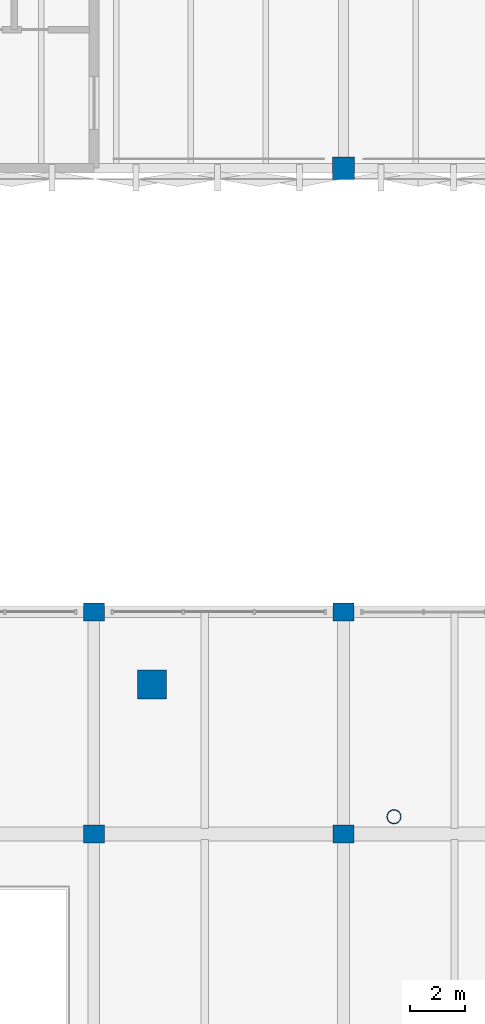
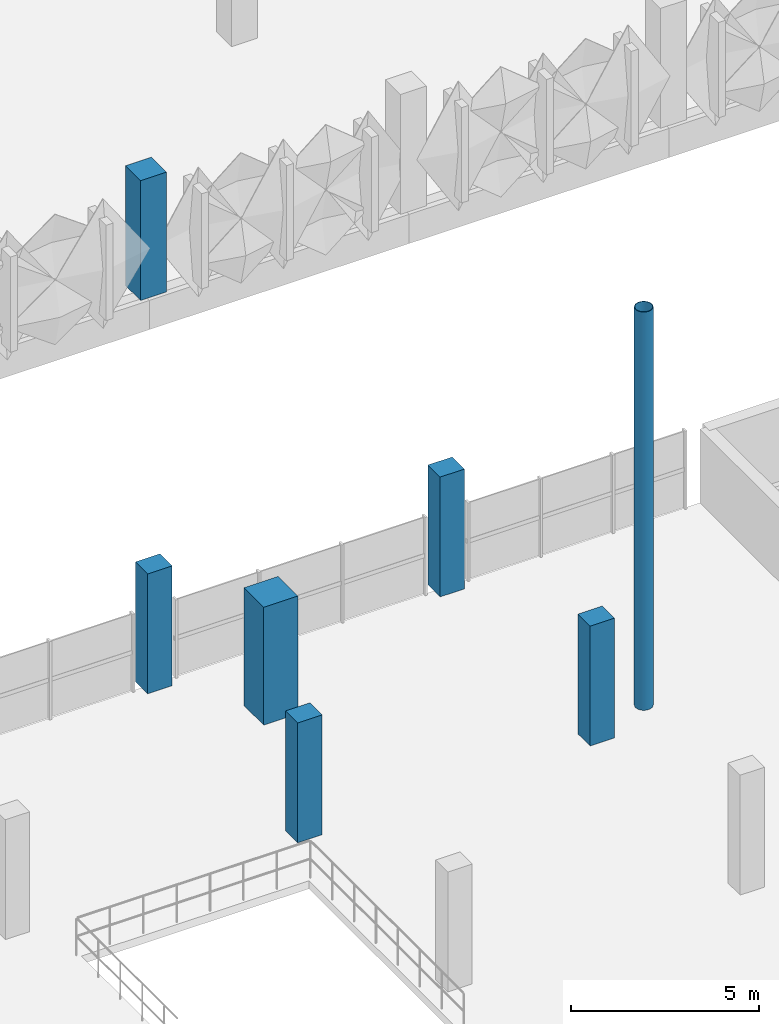
# One storey, part 11 of 123: 7 columns.
"""IFC4 building model written with IfcOpenShell, lengths in metres."""

from ifc_helpers import new_model, si_unit, derived_unit, direction, frame, origin, origin_2d, place, context, subcontext, project, spatial, rectangle, hollow_circle, extrude, material, material_profile, profile_set, type_object, element, save


model = new_model("IFC4")

# Units and contexts
model_context = context("Model", 3, precision=1e-05, world=origin(), true_north=direction((0.0, 1.0)))
body_context = subcontext(model_context, "Body", "Model", "MODEL_VIEW")
ifc_project = project(units=[si_unit("LENGTHUNIT", "METRE"), si_unit("AREAUNIT", "SQUARE_METRE"), si_unit("VOLUMEUNIT", "CUBIC_METRE"), si_unit("PLANEANGLEUNIT", "RADIAN"), si_unit("MASSUNIT", "GRAM", prefix="KILO"), si_unit("THERMODYNAMICTEMPERATUREUNIT", "KELVIN"), derived_unit("THERMALTRANSMITTANCEUNIT", [(si_unit("POWERUNIT", "WATT"), 1), (si_unit("AREAUNIT", "SQUARE_METRE"), -1), (si_unit("THERMODYNAMICTEMPERATUREUNIT", "KELVIN"), -1)])], contexts=[model_context])

# Site, building, storey
site_placement = place(None, origin())
site = spatial("IfcSite", under=ifc_project, at=site_placement, CompositionType="ELEMENT")
building_placement = place(site_placement, origin())
building = spatial("IfcBuilding", under=site, at=building_placement, Name="Haiyu Intermodal Mobility Hub", CompositionType="ELEMENT")
storey_placement = place(building_placement, frame((0.0, 0.0, 5.60009765625)))
storey = spatial("IfcBuildingStorey", under=building, at=storey_placement, Name="L01", CompositionType="ELEMENT", Elevation=5.60009765625)

# Columns
ifc_material_1 = material(Name="Precast concrete C40", Category="concrete")
ifc_material_profile_1 = material_profile(ifc_material_1, rectangle(XDim=0.800048828125, YDim=0.800048828125, at=origin_2d()), Name="RC800x800")
ifc_profile_set_1 = profile_set([ifc_material_profile_1], Name="Precast concrete C40")
column_type_1 = type_object("IfcColumnType", Name="COL-CC02-EXT", PredefinedType="COLUMN", material=ifc_profile_set_1)
column_1_placement = place(storey_placement, frame((138.0, 104.0, 0.0), z_axis=(0.0, 0.0, 1.0), x_axis=(1.0, 0.0, 0.0)))
element("IfcColumn", 1, at=column_1_placement, inside=storey, type_object=column_type_1, Name="Column V4-15M L01", PredefinedType="COLUMN", context=body_context, shape_type="SweptSolid", body=[
    extrude(rectangle(XDim=0.800048828125, YDim=0.800048828125, at=origin_2d()), origin(), (0.0, 0.0, 1.0), 3.89990234375),
])
ifc_material_2 = material(Name="Concrete C40", Category="concrete")
ifc_material_profile_2 = material_profile(ifc_material_2, rectangle(XDim=0.75, YDim=0.64990234375, at=origin_2d()), Name="RC750x650")
ifc_profile_set_2 = profile_set([ifc_material_profile_2], Name="Concrete C40")
column_type_2 = type_object("IfcColumnType", Name="COL-CC07", PredefinedType="COLUMN", material=ifc_profile_set_2)
for number, where, z_axis, x_axis, name in (
    (2, (129.0, 80.0, 0.0), (0.0, 0.0, 1.0), (1.0, 0.0, 0.0), "Column V1-14J L01"),
    (3, (138.0, 80.0, 0.0), (0.0, 0.0, 1.0), (1.0, 0.0, 0.0), "Column V1-15J L01"),
):
    element("IfcColumn", number, at=place(storey_placement, frame(where, z_axis=z_axis, x_axis=x_axis)), inside=storey, type_object=column_type_2, Name=name, PredefinedType="COLUMN", context=body_context, shape_type="SweptSolid", body=[
        extrude(rectangle(XDim=0.75, YDim=0.64990234375, at=origin_2d()), origin(), (0.0, 0.0, 1.0), 3.89990234375),
    ])
ifc_material_profile_3 = material_profile(ifc_material_2, rectangle(XDim=0.75, YDim=0.64990234375, at=origin_2d()), Name="RC750x650")
ifc_profile_set_3 = profile_set([ifc_material_profile_3], Name="Concrete C40")
column_type_3 = type_object("IfcColumnType", Name="COL-CC07-EXT", PredefinedType="COLUMN", material=ifc_profile_set_3)
for number, where, z_axis, x_axis, name in (
    (4, (129.0, 88.0, 0.0), (0.0, 0.0, 1.0), (1.0, 0.0, 0.0), "Column V1-14K L01"),
    (5, (138.0, 88.0, 0.0), (0.0, 0.0, 1.0), (1.0, 0.0, 0.0), "Column V1-15K L01"),
):
    element("IfcColumn", number, at=place(storey_placement, frame(where, z_axis=z_axis, x_axis=x_axis)), inside=storey, type_object=column_type_3, Name=name, PredefinedType="COLUMN", context=body_context, shape_type="SweptSolid", body=[
        extrude(rectangle(XDim=0.75, YDim=0.64990234375, at=origin_2d()), origin(), (0.0, 0.0, 1.0), 3.89990234375),
    ])
ifc_material_profile_4 = material_profile(ifc_material_2, rectangle(XDim=1.050048828125, YDim=1.050048828125, at=origin_2d()), Name="RC1050x1050")
ifc_profile_set_4 = profile_set([ifc_material_profile_4], Name="Concrete C40")
column_type_4 = type_object("IfcColumnType", Name="COL-CC12-EXT", PredefinedType="COLUMN", material=ifc_profile_set_4)
column_2_placement = place(storey_placement, frame((131.10009765625, 85.39111328125, 0.0), z_axis=(0.0, 0.0, 1.0), x_axis=(1.0, 0.0, 0.0)))
element("IfcColumn", 6, at=column_2_placement, inside=storey, type_object=column_type_4, Name="Column MP-02 L01", PredefinedType="COLUMN", context=body_context, shape_type="SweptSolid", body=[
    extrude(rectangle(XDim=1.050048828125, YDim=1.050048828125, at=origin_2d()), origin(), (0.0, 0.0, 1.0), 3.8349609375),
])
ifc_material_3 = material(Name="Steel Q355C", Category="steel")
ifc_material_profile_5 = material_profile(ifc_material_3, hollow_circle(Radius=0.25390625, WallThickness=0.01611328125, at=origin_2d()), Name="CHS508x16")
ifc_profile_set_5 = profile_set([ifc_material_profile_5], Name="Steel Q355C")
column_type_5 = type_object("IfcColumnType", Name="COL-SC02-EXT", PredefinedType="COLUMN", material=ifc_profile_set_5)
column_3_placement = place(storey_placement, frame((139.820068359375, 80.616943359375, 0.0), z_axis=(0.0, 0.0, 1.0), x_axis=(1.0, 0.0, 0.0)))
element("IfcColumn", 7, at=column_3_placement, inside=storey, type_object=column_type_5, Name="Column RCOL-04 L01", PredefinedType="COLUMN", context=body_context, shape_type="SweptSolid", body=[
    extrude(hollow_circle(Radius=0.25390625, WallThickness=0.01611328125, at=origin_2d()), origin(), (0.0, 0.0, 1.0), 12.9599609375),
])

save(model, "model.ifc")
